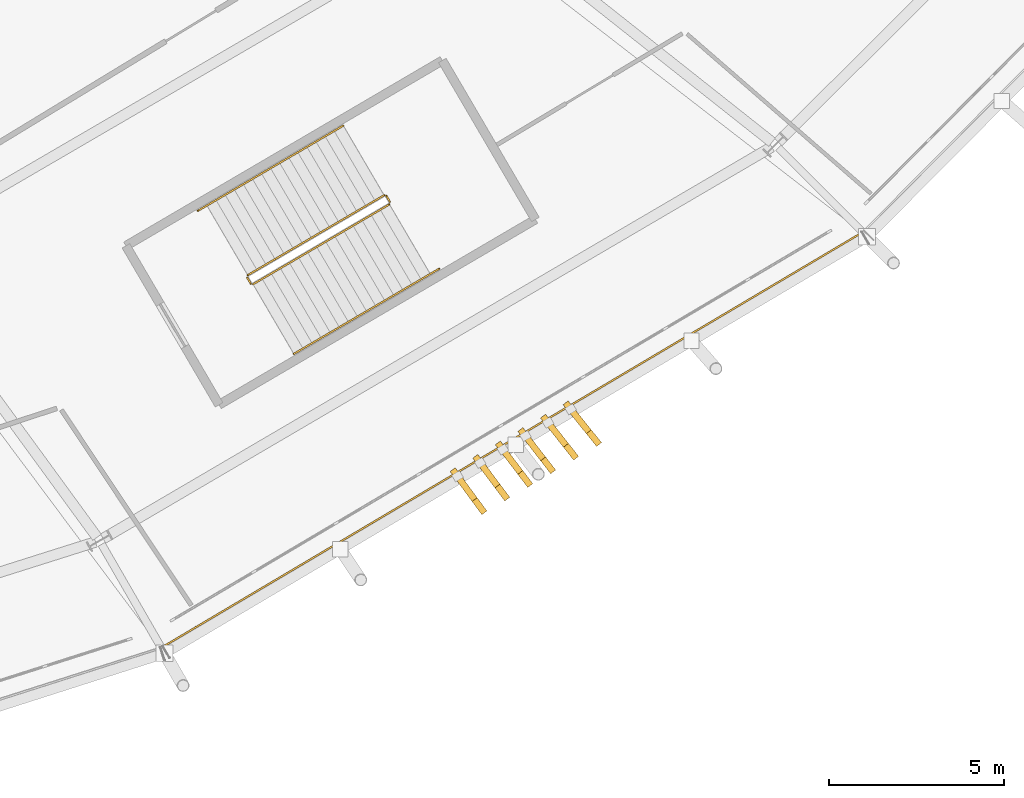
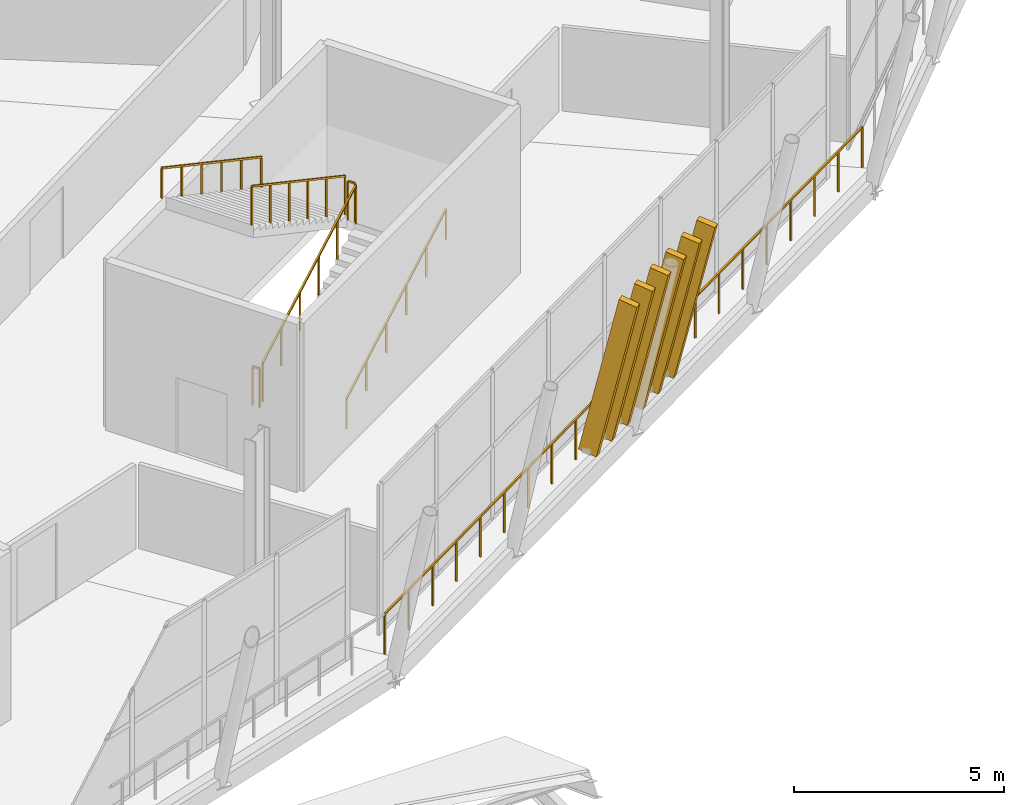
# One storey, part 154 of 168: 7 railings, 6 shading devices.
"""IFC4 building model written with IfcOpenShell, lengths in metres."""

from ifc_helpers import new_model, si_unit, direction, frame, origin, origin_2d, place, context, subcontext, project, spatial, rectangle, extrude, material, material_profile, profile_set, type_object, element, save


model = new_model("IFC4")

# Units and contexts
model_context = context("Model", 3, precision=1e-05, world=origin(), true_north=direction((0.0, 1.0)))
body_context = subcontext(model_context, "Body", "Model", "MODEL_VIEW")
ifc_project = project(units=[si_unit("LENGTHUNIT", "METRE"), si_unit("AREAUNIT", "SQUARE_METRE"), si_unit("VOLUMEUNIT", "CUBIC_METRE"), si_unit("PLANEANGLEUNIT", "RADIAN"), si_unit("MASSUNIT", "GRAM", prefix="KILO")], contexts=[model_context])

# Site, building, storey
site_placement = place(None, origin())
site = spatial("IfcSite", under=ifc_project, at=site_placement, CompositionType="ELEMENT")
building_placement = place(site_placement, origin())
building = spatial("IfcBuilding", under=site, at=building_placement, Name="Zlatoyarsky Gate Stadium", CompositionType="ELEMENT")
storey_placement = place(building_placement, frame((0.0, 0.0, 15.60009765625)))
storey = spatial("IfcBuildingStorey", under=building, at=storey_placement, Name="L03", CompositionType="ELEMENT", Elevation=15.60009765625)

# Railings
ifc_material_1 = material(Name="Powder-coated steel tubular guardrail", Category="steel")
railing_type_1 = type_object("IfcRailingType", Name="CONCOURSE SLAB EDGE GUARDRAIL 1200", PredefinedType="GUARDRAIL", material=ifc_material_1)
railing_1_placement = place(storey_placement, frame((159.260986328125, 15.4619140625, 0.0)))
element("IfcRailing", 1, at=railing_1_placement, inside=storey, type_object=railing_type_1, Name="L03 outer slab edge guardrail 20", PredefinedType="GUARDRAIL", context=body_context, shape_type="SweptSolid", body=[
    extrude(rectangle(XDim=0.048095703125, YDim=0.048095703125, at=origin_2d()), frame((0.0, 0.0, 1.17578125), z_axis=(0.860356384529, 0.509692938542, 0.0), x_axis=(-0.509692938542, 0.860356384529, 0.0)), (0.0, 0.0, 1.0), 23.235107421875),
    extrude(rectangle(XDim=0.0419921875, YDim=0.0419921875, at=origin_2d()), origin(), (0.0, 0.0, 1.0), 1.15185546875),
    extrude(rectangle(XDim=0.0419921875, YDim=0.0419921875, at=origin_2d()), frame((0.99951171875, 0.592041015625, 0.0)), (0.0, 0.0, 1.0), 1.15185546875),
    extrude(rectangle(XDim=0.0419921875, YDim=0.0419921875, at=origin_2d()), frame((1.9990234375, 1.184326171875, 0.0)), (0.0, 0.0, 1.0), 1.15185546875),
    extrude(rectangle(XDim=0.0419921875, YDim=0.0419921875, at=origin_2d()), frame((2.99853515625, 1.7763671875, 0.0)), (0.0, 0.0, 1.0), 1.15185546875),
    extrude(rectangle(XDim=0.0419921875, YDim=0.0419921875, at=origin_2d()), frame((3.998046875, 2.36865234375, 0.0)), (0.0, 0.0, 1.0), 1.15185546875),
    extrude(rectangle(XDim=0.0419921875, YDim=0.0419921875, at=origin_2d()), frame((4.99755859375, 2.960693359375, 0.0)), (0.0, 0.0, 1.0), 1.15185546875),
    extrude(rectangle(XDim=0.0419921875, YDim=0.0419921875, at=origin_2d()), frame((5.9970703125, 3.552734375, 0.0)), (0.0, 0.0, 1.0), 1.15185546875),
    extrude(rectangle(XDim=0.0419921875, YDim=0.0419921875, at=origin_2d()), frame((6.99658203125, 4.14501953125, 0.0)), (0.0, 0.0, 1.0), 1.15185546875),
    extrude(rectangle(XDim=0.0419921875, YDim=0.0419921875, at=origin_2d()), frame((7.99609375, 4.737060546875, 0.0)), (0.0, 0.0, 1.0), 1.15185546875),
    extrude(rectangle(XDim=0.0419921875, YDim=0.0419921875, at=origin_2d()), frame((8.99560546875, 5.329345703125, 0.0)), (0.0, 0.0, 1.0), 1.15185546875),
    extrude(rectangle(XDim=0.0419921875, YDim=0.0419921875, at=origin_2d()), frame((9.9951171875, 5.92138671875, 0.0)), (0.0, 0.0, 1.0), 1.15185546875),
    extrude(rectangle(XDim=0.0419921875, YDim=0.0419921875, at=origin_2d()), frame((10.994873046875, 6.513427734375, 0.0)), (0.0, 0.0, 1.0), 1.15185546875),
    extrude(rectangle(XDim=0.0419921875, YDim=0.0419921875, at=origin_2d()), frame((11.994384765625, 7.105712890625, 0.0)), (0.0, 0.0, 1.0), 1.15185546875),
    extrude(rectangle(XDim=0.0419921875, YDim=0.0419921875, at=origin_2d()), frame((12.993896484375, 7.69775390625, 0.0)), (0.0, 0.0, 1.0), 1.15185546875),
    extrude(rectangle(XDim=0.0419921875, YDim=0.0419921875, at=origin_2d()), frame((13.993408203125, 8.2900390625, 0.0)), (0.0, 0.0, 1.0), 1.15185546875),
    extrude(rectangle(XDim=0.0419921875, YDim=0.0419921875, at=origin_2d()), frame((14.992919921875, 8.882080078125, 0.0)), (0.0, 0.0, 1.0), 1.15185546875),
    extrude(rectangle(XDim=0.0419921875, YDim=0.0419921875, at=origin_2d()), frame((15.992431640625, 9.47412109375, 0.0)), (0.0, 0.0, 1.0), 1.15185546875),
    extrude(rectangle(XDim=0.0419921875, YDim=0.0419921875, at=origin_2d()), frame((16.991943359375, 10.06640625, 0.0)), (0.0, 0.0, 1.0), 1.15185546875),
    extrude(rectangle(XDim=0.0419921875, YDim=0.0419921875, at=origin_2d()), frame((17.991455078125, 10.658447265625, 0.0)), (0.0, 0.0, 1.0), 1.15185546875),
    extrude(rectangle(XDim=0.0419921875, YDim=0.0419921875, at=origin_2d()), frame((18.990966796875, 11.250732421875, 0.0)), (0.0, 0.0, 1.0), 1.15185546875),
    extrude(rectangle(XDim=0.0419921875, YDim=0.0419921875, at=origin_2d()), frame((19.990478515625, 11.8427734375, 0.0)), (0.0, 0.0, 1.0), 1.15185546875),
])
ifc_material_2 = material(Name="Powder-coated steel stair guardrail", Category="steel")
railing_type_2 = type_object("IfcRailingType", Name="PAINTED STEEL STAIR WELL GUARDRAIL 1150", PredefinedType="GUARDRAIL", material=ifc_material_2)
railing_2_placement = place(storey_placement, frame((161.8779296875, 25.8232421875, 0.162353515625)))
element("IfcRailing", 2, at=railing_2_placement, inside=storey, type_object=railing_type_2, Name="ST-11 L03 stair guard 1", PredefinedType="GUARDRAIL", context=body_context, shape_type="SweptSolid", body=[
    extrude(rectangle(XDim=0.048095703125, YDim=0.048095703125, at=origin_2d()), frame((0.0, 0.0, 1.1259765625), z_axis=(0.758690244494, 0.444461582492, 0.476280394934), x_axis=(-0.505475820858, 0.862840770089, 0.0)), (0.0, 0.0, 1.0), 5.11767578125),
    extrude(rectangle(XDim=0.0419921875, YDim=0.0419921875, at=origin_2d()), origin(), (0.0, 0.0, 1.0), 1.101806640625),
    extrude(rectangle(XDim=0.0419921875, YDim=0.0419921875, at=origin_2d()), frame((0.776611328125, 0.454833984375, 0.487548828125)), (0.0, 0.0, 1.0), 1.101806640625),
    extrude(rectangle(XDim=0.0419921875, YDim=0.0419921875, at=origin_2d()), frame((1.55322265625, 0.909912109375, 0.97509765625)), (0.0, 0.0, 1.0), 1.101806640625),
    extrude(rectangle(XDim=0.0419921875, YDim=0.0419921875, at=origin_2d()), frame((2.32958984375, 1.36474609375, 1.46240234375)), (0.0, 0.0, 1.0), 1.101806640625),
    extrude(rectangle(XDim=0.0419921875, YDim=0.0419921875, at=origin_2d()), frame((3.106201171875, 1.81982421875, 1.949951171875)), (0.0, 0.0, 1.0), 1.101806640625),
    extrude(rectangle(XDim=0.0419921875, YDim=0.0419921875, at=origin_2d()), frame((3.8828125, 2.274658203125, 2.4375)), (0.0, 0.0, 1.0), 1.101806640625),
])
railing_3_placement = place(storey_placement, frame((165.778564453125, 28.166259765625, 2.599853515625)))
element("IfcRailing", 3, at=railing_3_placement, inside=storey, type_object=railing_type_2, Name="ST-11 L03 stair guard 2", PredefinedType="GUARDRAIL", context=body_context, shape_type="SweptSolid", body=[
    extrude(rectangle(XDim=0.048095703125, YDim=0.048095703125, at=origin_2d()), frame((0.0, 0.0, 1.1259765625), z_axis=(-0.505312229679, 0.862936585467, 0.0), x_axis=(-0.862936585467, -0.505312229679, 0.0)), (0.0, 0.0, 1.0), 0.199951171875),
    extrude(rectangle(XDim=0.0419921875, YDim=0.0419921875, at=origin_2d()), origin(), (0.0, 0.0, 1.0), 1.101806640625),
    extrude(rectangle(XDim=0.0419921875, YDim=0.0419921875, at=origin_2d()), frame((-0.10107421875, 0.172607421875, 0.0)), (0.0, 0.0, 1.0), 1.101806640625),
])
railing_4_placement = place(storey_placement, frame((165.609130859375, 28.356689453125, 2.762451171875)))
element("IfcRailing", 4, at=railing_4_placement, inside=storey, type_object=railing_type_2, Name="ST-11 L03 stair guard 3", PredefinedType="GUARDRAIL", context=body_context, shape_type="SweptSolid", body=[
    extrude(rectangle(XDim=0.048095703125, YDim=0.048095703125, at=origin_2d()), frame((0.0, 0.0, 1.1259765625), z_axis=(-0.758690244494, -0.444461582492, 0.476280394934), x_axis=(0.505475820858, -0.862840770089, 0.0)), (0.0, 0.0, 1.0), 5.11767578125),
    extrude(rectangle(XDim=0.0419921875, YDim=0.0419921875, at=origin_2d()), origin(), (0.0, 0.0, 1.0), 1.101806640625),
    extrude(rectangle(XDim=0.0419921875, YDim=0.0419921875, at=origin_2d()), frame((-0.776611328125, -0.454833984375, 0.487548828125)), (0.0, 0.0, 1.0), 1.101806640625),
    extrude(rectangle(XDim=0.0419921875, YDim=0.0419921875, at=origin_2d()), frame((-1.55322265625, -0.909912109375, 0.97509765625)), (0.0, 0.0, 1.0), 1.101806640625),
    extrude(rectangle(XDim=0.0419921875, YDim=0.0419921875, at=origin_2d()), frame((-2.32958984375, -1.36474609375, 1.46240234375)), (0.0, 0.0, 1.0), 1.101806640625),
    extrude(rectangle(XDim=0.0419921875, YDim=0.0419921875, at=origin_2d()), frame((-3.106201171875, -1.81982421875, 1.949951171875)), (0.0, 0.0, 1.0), 1.101806640625),
    extrude(rectangle(XDim=0.0419921875, YDim=0.0419921875, at=origin_2d()), frame((-3.8828125, -2.274658203125, 2.4375)), (0.0, 0.0, 1.0), 1.101806640625),
])
railing_5_placement = place(storey_placement, frame((161.809326171875, 25.841064453125, 0.0)))
element("IfcRailing", 5, at=railing_5_placement, inside=storey, type_object=railing_type_2, Name="ST-11 L03 stair guard 4", PredefinedType="GUARDRAIL", context=body_context, shape_type="SweptSolid", body=[
    extrude(rectangle(XDim=0.048095703125, YDim=0.048095703125, at=origin_2d()), frame((0.0, 0.0, 1.1259765625), z_axis=(-0.505312229679, 0.862936585467, 0.0), x_axis=(-0.862936585467, -0.505312229679, 0.0)), (0.0, 0.0, 1.0), 0.199951171875),
    extrude(rectangle(XDim=0.0419921875, YDim=0.0419921875, at=origin_2d()), origin(), (0.0, 0.0, 1.0), 1.101806640625),
    extrude(rectangle(XDim=0.0419921875, YDim=0.0419921875, at=origin_2d()), frame((-0.10107421875, 0.172607421875, 0.0)), (0.0, 0.0, 1.0), 1.101806640625),
])

# Shading devices
ifc_material_3 = material(Name="Precast concrete C40/50 stone-toned architectural rib", Category="masonry")
ifc_material_profile = material_profile(ifc_material_3, rectangle(XDim=0.179931640625, YDim=0.47998046875, at=origin_2d()), Name="RIB 180X480")
ifc_profile_set = profile_set([ifc_material_profile], Name="Precast concrete C40/50 stone-toned architectural rib")
shading_device_type = type_object("IfcShadingDeviceType", Name="PRECAST RIBBED BOWL LOUVRE FIN 180X480", PredefinedType="JALOUSIE", material=ifc_profile_set)
for number, where, z_axis, x_axis, name in (
    (6, (167.70361328125, 20.348876953125, -0.010009765625), (0.131097145623, -0.178559830067, 0.975156359512), (0.806074913347, 0.591813512918, 0.0), "Leaning bowl louvre fin L03-20-1"),
    (7, (168.348876953125, 20.731201171875, -0.010009765625), (0.132579385525, -0.177436688219, 0.975160975536), (0.80107818866, 0.5985597177, 0.0), "Leaning bowl louvre fin L03-20-2"),
    (8, (168.993896484375, 21.113525390625, -0.010009765625), (0.134112555343, -0.176262215594, 0.975164321462), (0.795828694121, 0.605521832483, 0.0), "Leaning bowl louvre fin L03-20-3"),
    (9, (169.639404296875, 21.495849609375, -0.010009765625), (0.135544926764, -0.175089507735, 0.975177541328), (0.790741722009, 0.612149923691, 0.0), "Leaning bowl louvre fin L03-20-4"),
    (10, (170.284423828125, 21.878173828125, -0.010009765625), (0.137075913493, -0.17396328194, 0.975165099087), (0.785461088365, 0.618911042609, 0.0), "Leaning bowl louvre fin L03-20-5"),
    (11, (170.9296875, 22.260498046875, -0.010009765625), (0.138557475081, -0.172788119735, 0.975164648548), (0.780148129587, 0.62559483366, 0.0), "Leaning bowl louvre fin L03-20-6"),
):
    element("IfcShadingDevice", number, at=place(storey_placement, frame(where, z_axis=z_axis, x_axis=x_axis)), inside=storey, type_object=shading_device_type, Name=name, PredefinedType="JALOUSIE", context=body_context, shape_type="SweptSolid", body=[
        extrude(rectangle(XDim=0.179931640625, YDim=0.47998046875, at=origin_2d()), origin(), (0.0, 0.0, 1.0), 4.778564453125),
    ])

# Railings
ifc_material_4 = material(Name="Brushed stainless steel 316 handrail", Category="steel")
railing_type_3 = type_object("IfcRailingType", Name="STAINLESS STEEL TUBULAR HANDRAIL 900", PredefinedType="HANDRAIL", material=ifc_material_4)
railing_6_placement = place(storey_placement, frame((163.040283203125, 23.838623046875, 0.16650390625)))
element("IfcRailing", 12, at=railing_6_placement, inside=storey, type_object=railing_type_3, Name="ST-11 L03 stair handrail 1", PredefinedType="HANDRAIL", context=body_context, shape_type="SweptSolid", body=[
    extrude(rectangle(XDim=0.048095703125, YDim=0.048095703125, at=origin_2d()), frame((0.0, 0.0, 0.8759765625), z_axis=(0.758715869307, 0.444451418165, 0.476249059372), x_axis=(-0.505454504659, 0.86285325735, 0.0)), (0.0, 0.0, 1.0), 5.458984375),
    extrude(rectangle(XDim=0.0419921875, YDim=0.0419921875, at=origin_2d()), origin(), (0.0, 0.0, 1.0), 0.851806640625),
    extrude(rectangle(XDim=0.0419921875, YDim=0.0419921875, at=origin_2d()), frame((0.828369140625, 0.4853515625, 0.52001953125)), (0.0, 0.0, 1.0), 0.851806640625),
    extrude(rectangle(XDim=0.0419921875, YDim=0.0419921875, at=origin_2d()), frame((1.65673828125, 0.970458984375, 1.0400390625)), (0.0, 0.0, 1.0), 0.851806640625),
    extrude(rectangle(XDim=0.0419921875, YDim=0.0419921875, at=origin_2d()), frame((2.485107421875, 1.455810546875, 1.559814453125)), (0.0, 0.0, 1.0), 0.851806640625),
    extrude(rectangle(XDim=0.0419921875, YDim=0.0419921875, at=origin_2d()), frame((3.3134765625, 1.94091796875, 2.079833984375)), (0.0, 0.0, 1.0), 0.851806640625),
    extrude(rectangle(XDim=0.0419921875, YDim=0.0419921875, at=origin_2d()), frame((4.141845703125, 2.42626953125, 2.599853515625)), (0.0, 0.0, 1.0), 0.851806640625),
])
railing_7_placement = place(storey_placement, frame((164.446533203125, 30.34130859375, 2.766357421875)))
element("IfcRailing", 13, at=railing_7_placement, inside=storey, type_object=railing_type_3, Name="ST-11 L03 stair handrail 2", PredefinedType="HANDRAIL", context=body_context, shape_type="SweptSolid", body=[
    extrude(rectangle(XDim=0.048095703125, YDim=0.048095703125, at=origin_2d()), frame((0.0, 0.0, 0.8759765625), z_axis=(-0.758699709167, -0.444441951648, 0.476283637054), x_axis=(0.505454504659, -0.86285325735, 0.0)), (0.0, 0.0, 1.0), 5.459228515625),
    extrude(rectangle(XDim=0.0419921875, YDim=0.0419921875, at=origin_2d()), origin(), (0.0, 0.0, 1.0), 0.851806640625),
    extrude(rectangle(XDim=0.0419921875, YDim=0.0419921875, at=origin_2d()), frame((-0.828369140625, -0.4853515625, 0.52001953125)), (0.0, 0.0, 1.0), 0.851806640625),
    extrude(rectangle(XDim=0.0419921875, YDim=0.0419921875, at=origin_2d()), frame((-1.65673828125, -0.970458984375, 1.0400390625)), (0.0, 0.0, 1.0), 0.851806640625),
    extrude(rectangle(XDim=0.0419921875, YDim=0.0419921875, at=origin_2d()), frame((-2.485107421875, -1.455810546875, 1.56005859375)), (0.0, 0.0, 1.0), 0.851806640625),
    extrude(rectangle(XDim=0.0419921875, YDim=0.0419921875, at=origin_2d()), frame((-3.3134765625, -1.94091796875, 2.080078125)), (0.0, 0.0, 1.0), 0.851806640625),
    extrude(rectangle(XDim=0.0419921875, YDim=0.0419921875, at=origin_2d()), frame((-4.141845703125, -2.42626953125, 2.60009765625)), (0.0, 0.0, 1.0), 0.851806640625),
])

save(model, "model.ifc")
